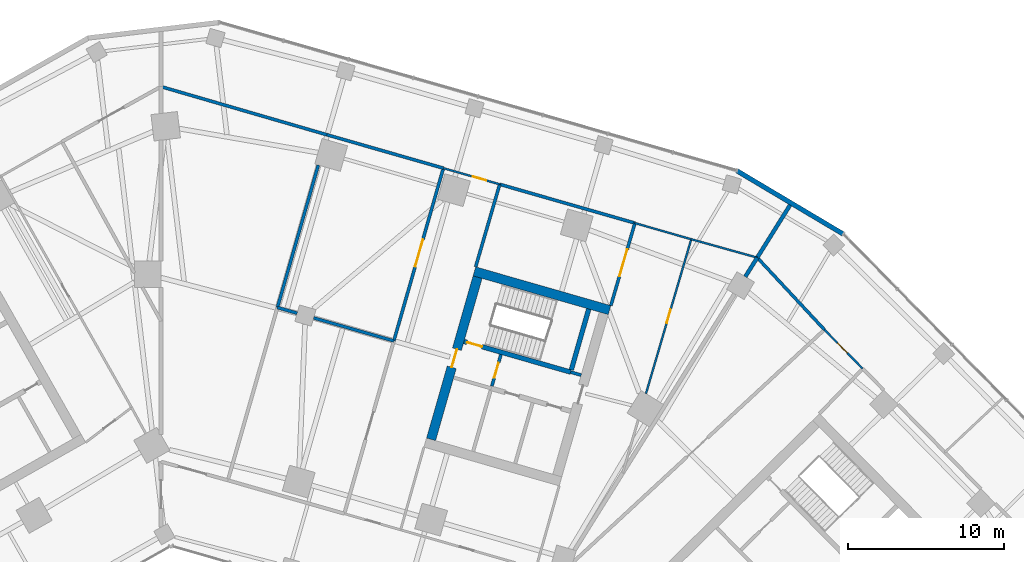
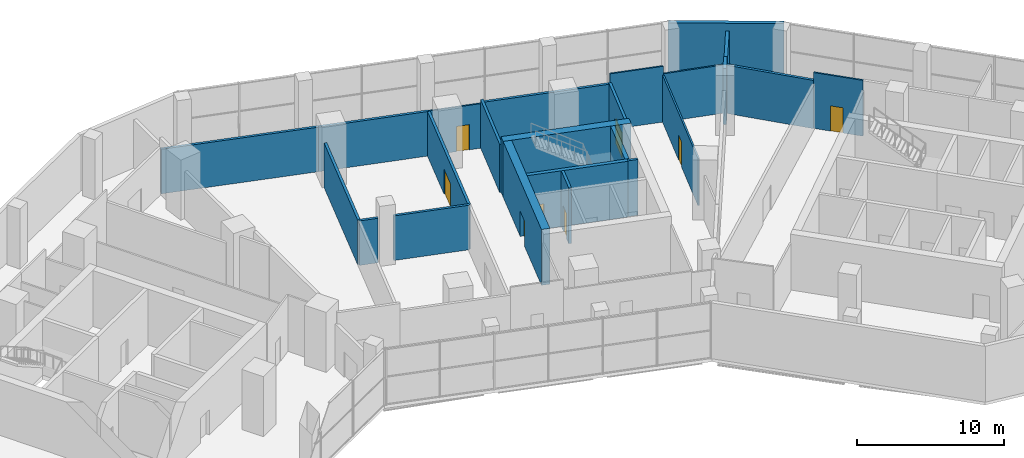
# One storey, part 15 of 18: 24 walls, 8 doors, 8 openings.
"""IFC4 building model written with IfcOpenShell, lengths in metres."""

from ifc_helpers import new_model, si_unit, direction, frame, frame_2d, origin, place, context, subcontext, project, spatial, rectangle, extrude, material, layer, layer_set, type_object, element, fill, save


model = new_model("IFC4")

# Units and contexts
model_context = context("Model", 3, precision=1e-05, world=origin(), true_north=direction((0.0, 1.0)))
body_context = subcontext(model_context, "Body", "Model", "MODEL_VIEW")
ifc_project = project(units=[si_unit("LENGTHUNIT", "METRE"), si_unit("AREAUNIT", "SQUARE_METRE"), si_unit("VOLUMEUNIT", "CUBIC_METRE"), si_unit("PLANEANGLEUNIT", "RADIAN"), si_unit("MASSUNIT", "GRAM", prefix="KILO")], contexts=[model_context])

# Site, building, storey
site_placement = place(None, origin())
site = spatial("IfcSite", under=ifc_project, at=site_placement, CompositionType="ELEMENT")
building_placement = place(site_placement, origin())
building = spatial("IfcBuilding", under=site, at=building_placement, Name="Binnacle Exchange Tower", CompositionType="ELEMENT")
storey_placement = place(building_placement, frame((0.0, 0.0, 11.5)))
storey = spatial("IfcBuildingStorey", under=building, at=storey_placement, Name="L02", CompositionType="ELEMENT", Elevation=11.5)

# Wall
ifc_material_1 = material(Name="Concrete C70/85", Category="concrete")
ifc_layer_1 = layer(ifc_material_1, 0.60009765625)
ifc_layer_set_1 = layer_set([ifc_layer_1], Name="Core wall - outer 600")
wall_type_1 = type_object("IfcWallType", Name="Core wall - outer 600", PredefinedType="SOLIDWALL", material=ifc_layer_set_1)
wall_1_placement = place(storey_placement, frame((20.052734375, 60.1796875, 0.0), z_axis=(0.0, 0.0, 1.0), x_axis=(0.96126248289, -0.275634611374, 0.0)))
element("IfcWall", 1, at=wall_1_placement, inside=storey, type_object=wall_type_1, Name="Core wall CRWD6", PredefinedType="SOLIDWALL", context=body_context, shape_type="SweptSolid", body=[
    extrude(rectangle(XDim=9.0, YDim=0.60009765625, at=frame_2d((4.5, 0.0))), origin(), (0.0, 0.0, 1.0), 4.64990234375),
])

# Wall, opening, door
wall_2_placement = place(storey_placement, frame((17.28173828125, 49.427001953125, 0.0), z_axis=(0.0, 0.0, 1.0), x_axis=(0.275631631629, 0.961263337304, 0.0)))
wall_2 = element("IfcWall", 2, at=wall_2_placement, inside=storey, type_object=wall_type_1, Name="Core wall CRWD7", PredefinedType="SOLIDWALL", context=body_context, shape_type="SweptSolid", body=[
    extrude(rectangle(XDim=10.800048828125, YDim=0.60009765625, at=frame_2d((5.39990234375, 0.0))), origin(), (0.0, 0.0, 1.0), 4.64990234375),
])
opening_1_placement = place(wall_2_placement, frame((4.800048828125, 0.0, 0.0)))
opening_1 = element("IfcOpeningElement", 3, at=opening_1_placement, cuts=wall_2, Name="Opening DD5", PredefinedType="OPENING", context=body_context, shape_type="SweptSolid", body=[
    extrude(rectangle(XDim=1.199951171875, YDim=2.10009765625, at=frame_2d((0.60009765625, 1.050048828125))), frame((0.0, 0.31005859375, 0.0), z_axis=(0.0, -1.0, 0.0), x_axis=(1.0, 0.0, 0.0)), (0.0, 0.0, 1.0), 0.6201171875),
])
ifc_material_2 = material(Name="Steel door leaf", Category="steel")
door_type_1 = type_object("IfcDoorType", Name="Fire door 1200", OperationType="NOTDEFINED", PredefinedType="DOOR", material=ifc_material_2)
door_1_placement = place(opening_1_placement, origin())
door_1 = element("IfcDoor", 4, at=door_1_placement, inside=storey, type_object=door_type_1, Name="Vestibule exit door VEST-W", OperationType="SINGLE_SWING_RIGHT", OverallHeight=2.10009765625, OverallWidth=1.199951171875, PredefinedType="DOOR", context=body_context, shape_type="SweptSolid", body=[
    extrude(rectangle(XDim=1.199951171875, YDim=2.10009765625, at=frame_2d((0.60009765625, 1.050048828125))), frame((0.0, 0.02490234375, 0.0), z_axis=(0.0, -1.0, 0.0), x_axis=(1.0, 0.0, 0.0)), (0.0, 0.0, 1.0), 0.050048828125),
])
fill(opening_1, door_1)

ifc_layer_2 = layer(ifc_material_1, 0.300048828125)
ifc_layer_set_2 = layer_set([ifc_layer_2], Name="Core wall - stair 300")
wall_type_2 = type_object("IfcWallType", Name="Core wall - stair 300", PredefinedType="SOLIDWALL", material=ifc_layer_set_2)
wall_3_placement = place(storey_placement, frame((19.38916015625, 55.688720703125, 0.0), z_axis=(0.0, 0.0, 1.0), x_axis=(0.961261397636, -0.275638396117, 0.0)))
wall_3 = element("IfcWall", 5, at=wall_3_placement, inside=storey, type_object=wall_type_2, Name="Core wall CRWD4", PredefinedType="SOLIDWALL", context=body_context, shape_type="SweptSolid", body=[
    extrude(rectangle(XDim=7.10009765625, YDim=0.300048828125, at=frame_2d((3.550048828125, 0.0))), origin(), (0.0, 0.0, 1.0), 4.64990234375),
])
opening_2_placement = place(wall_3_placement, frame((0.199951171875, 0.0, 0.0)))
opening_2 = element("IfcOpeningElement", 6, at=opening_2_placement, cuts=wall_3, Name="Opening DD1", PredefinedType="OPENING", context=body_context, shape_type="SweptSolid", body=[
    extrude(rectangle(XDim=1.0, YDim=2.10009765625, at=frame_2d((0.5, 1.050048828125))), frame((0.0, 0.159912109375, 0.0), z_axis=(0.0, -1.0, 0.0), x_axis=(1.0, 0.0, 0.0)), (0.0, 0.0, 1.0), 0.320068359375),
])
door_type_2 = type_object("IfcDoorType", Name="Fire door 1000", OperationType="NOTDEFINED", PredefinedType="DOOR", material=ifc_material_2)
door_2_placement = place(opening_2_placement, origin())
door_2 = element("IfcDoor", 7, at=door_2_placement, inside=storey, type_object=door_type_2, Name="Stair door ST-D1", OperationType="SINGLE_SWING_LEFT", OverallHeight=2.10009765625, OverallWidth=1.0, PredefinedType="DOOR", context=body_context, shape_type="SweptSolid", body=[
    extrude(rectangle(XDim=1.0, YDim=2.10009765625, at=frame_2d((0.5, 1.050048828125))), frame((0.0, 0.02490234375, 0.0), z_axis=(0.0, -1.0, 0.0), x_axis=(1.0, 0.0, 0.0)), (0.0, 0.0, 1.0), 0.050048828125),
])
fill(opening_2, door_2)

# Walls
wall_4_placement = place(storey_placement, frame((26.255615234375, 53.875732421875, 0.0), z_axis=(0.0, 0.0, 1.0), x_axis=(0.275612739511, 0.961268754209, 0.0)))
element("IfcWall", 8, at=wall_4_placement, inside=storey, type_object=wall_type_2, Name="Core wall CRWD11", PredefinedType="SOLIDWALL", context=body_context, shape_type="SweptSolid", body=[
    extrude(rectangle(XDim=4.0498046875, YDim=0.300048828125, at=frame_2d((2.02490234375, 0.0))), origin(), (0.0, 0.0, 1.0), 4.64990234375),
])
ifc_material_3 = material(Name="Bronze aluminium louvre", Category="aluminium")
ifc_layer_3 = layer(ifc_material_3, 0.300048828125)
ifc_layer_set_3 = layer_set([ifc_layer_3], Name="External wall - podium louvre 300")
wall_type_3 = type_object("IfcWallType", Name="External wall - podium louvre 300", PredefinedType="STANDARD", material=ifc_layer_set_3)
wall_5_placement = place(storey_placement, frame((36.85791015625, 66.61181640625, 0.0), z_axis=(0.0, 0.0, 1.0), x_axis=(0.85940790562, -0.51129057468, 0.0)))
element("IfcWall", 9, at=wall_5_placement, inside=storey, type_object=wall_type_3, Name="External wall EW-P13 L02", PredefinedType="STANDARD", context=body_context, shape_type="SweptSolid", body=[
    extrude(rectangle(XDim=7.906005859375, YDim=0.300048828125, at=frame_2d((3.953125, 0.0))), origin(), (0.0, 0.0, 1.0), 4.64990234375),
])
ifc_material_4 = material(Name="Masonry block wall", Category="masonry")
ifc_layer_4 = layer(ifc_material_4, 0.199951171875)
ifc_layer_set_4 = layer_set([ifc_layer_4], Name="Fire wall - block 200")
wall_type_4 = type_object("IfcWallType", Name="Fire wall - block 200", PredefinedType="PARTITIONING", material=ifc_layer_set_4)
wall_6_placement = place(storey_placement, frame((0.0, 72.0, 0.0), z_axis=(0.0, 0.0, 1.0), x_axis=(0.960375968852, -0.278707729443, 0.0)))
element("IfcWall", 10, at=wall_6_placement, inside=storey, type_object=wall_type_4, Name="Partition W51", PredefinedType="PARTITIONING", context=body_context, shape_type="SweptSolid", body=[
    extrude(rectangle(XDim=11.058349609375, YDim=0.199951171875, at=frame_2d((5.529296875, 0.0))), origin(), (0.0, 0.0, 1.0), 3.7119140625),
])
wall_7_placement = place(storey_placement, frame((7.449951171875, 57.864013671875, 0.0), z_axis=(0.0, 0.0, 1.0), x_axis=(0.961221622993, -0.275777068465, 0.0)))
element("IfcWall", 11, at=wall_7_placement, inside=storey, type_object=wall_type_4, Name="Partition W54", PredefinedType="PARTITIONING", context=body_context, shape_type="SweptSolid", body=[
    extrude(rectangle(XDim=1.31298828125, YDim=0.199951171875, at=frame_2d((0.656494140625, 0.0))), origin(), (0.0, 0.0, 1.0), 3.7119140625),
])
wall_8_placement = place(storey_placement, frame((7.449951171875, 57.864013671875, 0.0), z_axis=(0.0, 0.0, 1.0), x_axis=(0.275710305557, 0.961240774941, 0.0)))
element("IfcWall", 12, at=wall_8_placement, inside=storey, type_object=wall_type_4, Name="Partition W55", PredefinedType="PARTITIONING", context=body_context, shape_type="SweptSolid", body=[
    extrude(rectangle(XDim=9.484619140625, YDim=0.199951171875, at=frame_2d((4.7421875, 0.0))), origin(), (0.0, 0.0, 1.0), 3.7119140625),
])
wall_9_placement = place(storey_placement, frame((9.77001953125, 57.198974609375, 0.0), z_axis=(0.0, 0.0, 1.0), x_axis=(0.961262835898, -0.275633380273, 0.0)))
element("IfcWall", 13, at=wall_9_placement, inside=storey, type_object=wall_type_4, Name="Partition W56", PredefinedType="PARTITIONING", context=body_context, shape_type="SweptSolid", body=[
    extrude(rectangle(XDim=5.336669921875, YDim=0.199951171875, at=frame_2d((2.66845703125, 0.0))), origin(), (0.0, 0.0, 1.0), 3.7119140625),
])
wall_10_placement = place(storey_placement, frame((10.6201171875, 68.91796875, 0.0), z_axis=(0.0, 0.0, 1.0), x_axis=(0.961260764876, -0.275640602796, 0.0)))
element("IfcWall", 14, at=wall_10_placement, inside=storey, type_object=wall_type_4, Name="Partition W57", PredefinedType="PARTITIONING", context=body_context, shape_type="SweptSolid", body=[
    extrude(rectangle(XDim=7.749267578125, YDim=0.199951171875, at=frame_2d((3.87451171875, 0.0))), origin(), (0.0, 0.0, 1.0), 3.7119140625),
])

# Wall, opening, door
wall_11_placement = place(storey_placement, frame((14.89990234375, 55.72802734375, 0.0), z_axis=(0.0, 0.0, 1.0), x_axis=(0.27559869205, 0.961272781754, 0.0)))
wall_11 = element("IfcWall", 15, at=wall_11_placement, inside=storey, type_object=wall_type_4, Name="Partition W60", PredefinedType="PARTITIONING", context=body_context, shape_type="SweptSolid", body=[
    extrude(rectangle(XDim=11.499267578125, YDim=0.199951171875, at=frame_2d((5.74951171875, 0.0))), origin(), (0.0, 0.0, 1.0), 3.7119140625),
])
opening_3_placement = place(wall_11_placement, frame((4.949951171875, 0.0, 0.0)))
opening_3 = element("IfcOpeningElement", 16, at=opening_3_placement, cuts=wall_11, Name="Opening DL01-20", PredefinedType="OPENING", context=body_context, shape_type="SweptSolid", body=[
    extrude(rectangle(XDim=1.800048828125, YDim=2.10009765625, at=frame_2d((0.89990234375, 1.050048828125))), frame((0.0, 0.10986328125, 0.0), z_axis=(0.0, -1.0, 0.0), x_axis=(1.0, 0.0, 0.0)), (0.0, 0.0, 1.0), 0.219970703125),
])
door_type_3 = type_object("IfcDoorType", Name="Fire door 1800", OperationType="NOTDEFINED", PredefinedType="DOOR", material=ifc_material_2)
door_3_placement = place(opening_3_placement, origin())
door_3 = element("IfcDoor", 17, at=door_3_placement, inside=storey, type_object=door_type_3, Name="Door DL01-20", OperationType="DOUBLE_DOOR_SINGLE_SWING", OverallHeight=2.10009765625, OverallWidth=1.800048828125, PredefinedType="DOOR", context=body_context, shape_type="SweptSolid", body=[
    extrude(rectangle(XDim=1.800048828125, YDim=2.10009765625, at=frame_2d((0.89990234375, 1.050048828125))), frame((0.0, 0.02490234375, 0.0), z_axis=(0.0, -1.0, 0.0), x_axis=(1.0, 0.0, 0.0)), (0.0, 0.0, 1.0), 0.050048828125),
])
fill(opening_3, door_3)

# Walls
wall_12_placement = place(storey_placement, frame((20.135986328125, 60.468017578125, 0.0), z_axis=(0.0, 0.0, 1.0), x_axis=(0.279630121779, 0.96010780384, 0.0)))
element("IfcWall", 18, at=wall_12_placement, inside=storey, type_object=wall_type_4, Name="Partition W64", PredefinedType="PARTITIONING", context=body_context, shape_type="SweptSolid", body=[
    extrude(rectangle(XDim=5.50048828125, YDim=0.199951171875, at=frame_2d((2.750244140625, 0.0))), origin(), (0.0, 0.0, 1.0), 4.01806640625),
])
wall_13_placement = place(storey_placement, frame((21.674072265625, 65.7490234375, 0.0), z_axis=(0.0, 0.0, 1.0), x_axis=(0.961259417468, -0.275645301662, 0.0)))
element("IfcWall", 19, at=wall_13_placement, inside=storey, type_object=wall_type_4, Name="Partition W65", PredefinedType="PARTITIONING", context=body_context, shape_type="SweptSolid", body=[
    extrude(rectangle(XDim=9.00048828125, YDim=0.199951171875, at=frame_2d((4.500244140625, 0.0))), origin(), (0.0, 0.0, 1.0), 3.822021484375),
])

# Wall, opening, door
wall_14_placement = place(storey_placement, frame((28.787109375, 57.987060546875, 0.0), z_axis=(0.0, 0.0, 1.0), x_axis=(0.279752860161, 0.960072047938, 0.0)))
wall_14 = element("IfcWall", 20, at=wall_14_placement, inside=storey, type_object=wall_type_4, Name="Partition W74", PredefinedType="PARTITIONING", context=body_context, shape_type="SweptSolid", body=[
    extrude(rectangle(XDim=5.500732421875, YDim=0.199951171875, at=frame_2d((2.75048828125, 0.0))), origin(), (0.0, 0.0, 1.0), 3.922119140625),
])
opening_4_placement = place(wall_14_placement, frame((1.949951171875, 0.0, 0.0)))
opening_4 = element("IfcOpeningElement", 21, at=opening_4_placement, cuts=wall_14, Name="Opening DL01-23", PredefinedType="OPENING", context=body_context, shape_type="SweptSolid", body=[
    extrude(rectangle(XDim=1.800048828125, YDim=2.10009765625, at=frame_2d((0.89990234375, 1.050048828125))), frame((0.0, 0.10986328125, 0.0), z_axis=(0.0, -1.0, 0.0), x_axis=(1.0, 0.0, 0.0)), (0.0, 0.0, 1.0), 0.219970703125),
])
door_4_placement = place(opening_4_placement, origin())
door_4 = element("IfcDoor", 22, at=door_4_placement, inside=storey, type_object=door_type_3, Name="Door DL01-23", OperationType="DOUBLE_DOOR_SINGLE_SWING", OverallHeight=2.10009765625, OverallWidth=1.800048828125, PredefinedType="DOOR", context=body_context, shape_type="SweptSolid", body=[
    extrude(rectangle(XDim=1.800048828125, YDim=2.10009765625, at=frame_2d((0.89990234375, 1.050048828125))), frame((0.0, 0.02490234375, 0.0), z_axis=(0.0, -1.0, 0.0), x_axis=(1.0, 0.0, 0.0)), (0.0, 0.0, 1.0), 0.050048828125),
])
fill(opening_4, door_4)

# Walls
wall_15_placement = place(storey_placement, frame((38.154052734375, 61.05908203125, 0.0), z_axis=(0.0, 0.0, 1.0), x_axis=(0.681663875787, -0.731665470312, 0.0)))
element("IfcWall", 23, at=wall_15_placement, inside=storey, type_object=wall_type_4, Name="Partition W83", PredefinedType="PARTITIONING", context=body_context, shape_type="SweptSolid", body=[
    extrude(rectangle(XDim=6.303466796875, YDim=0.199951171875, at=frame_2d((3.15185546875, 0.0))), origin(), (0.0, 0.0, 1.0), 4.01806640625),
])
ifc_material_5 = material(Name="Concrete fire wall C30/37", Category="concrete")
ifc_layer_5 = layer(ifc_material_5, 0.25)
ifc_layer_set_5 = layer_set([ifc_layer_5], Name="Fire wall - compartment 250")
wall_type_5 = type_object("IfcWallType", Name="Fire wall - compartment 250", PredefinedType="PARTITIONING", material=ifc_layer_set_5)
wall_16_placement = place(storey_placement, frame((37.389892578125, 59.8369140625, 0.0), z_axis=(0.0, 0.0, 1.0), x_axis=(0.530151180786, 0.84790313451, 0.0)))
element("IfcWall", 24, at=wall_16_placement, inside=storey, type_object=wall_type_5, Name="Fire Wall W80", PredefinedType="PARTITIONING", context=body_context, shape_type="SweptSolid", body=[
    extrude(rectangle(XDim=1.44140625, YDim=0.25, at=frame_2d((0.720703125, 0.0))), origin(), (0.0, 0.0, 1.0), 4.64990234375),
])
wall_17_placement = place(storey_placement, frame((38.154052734375, 61.05908203125, 0.0), z_axis=(0.0, 0.0, 1.0), x_axis=(0.529921368013, 0.848046781565, 0.0)))
element("IfcWall", 25, at=wall_17_placement, inside=storey, type_object=wall_type_5, Name="Fire Wall W82", PredefinedType="PARTITIONING", context=body_context, shape_type="SweptSolid", body=[
    extrude(rectangle(XDim=3.960693359375, YDim=0.25, at=frame_2d((1.98046875, 0.0))), origin(), (0.0, 0.0, 1.0), 4.02392578125),
])

# Wall, opening, door
ifc_layer_6 = layer(ifc_material_4, 0.199951171875)
ifc_layer_set_6 = layer_set([ifc_layer_6], Name="Fire wall - vestibule 200")
wall_type_6 = type_object("IfcWallType", Name="Fire wall - vestibule 200", PredefinedType="PARTITIONING", material=ifc_layer_set_6)
wall_18_placement = place(storey_placement, frame((21.172119140625, 52.836669921875, 0.0), z_axis=(0.0, 0.0, 1.0), x_axis=(0.275657676022, 0.961255868981, 0.0)))
wall_18 = element("IfcWall", 26, at=wall_18_placement, inside=storey, type_object=wall_type_6, Name="Core wall CRWD9", PredefinedType="PARTITIONING", context=body_context, shape_type="SweptSolid", body=[
    extrude(rectangle(XDim=2.099853515625, YDim=0.199951171875, at=frame_2d((1.0498046875, 0.0))), origin(), (0.0, 0.0, 1.0), 4.64990234375),
])
opening_5_placement = place(wall_18_placement, frame((0.550048828125, 0.0, 0.0)))
opening_5 = element("IfcOpeningElement", 27, at=opening_5_placement, cuts=wall_18, Name="Opening DD3", PredefinedType="OPENING", context=body_context, shape_type="SweptSolid", body=[
    extrude(rectangle(XDim=1.0, YDim=2.10009765625, at=frame_2d((0.5, 1.050048828125))), frame((0.0, 0.10986328125, 0.0), z_axis=(0.0, -1.0, 0.0), x_axis=(1.0, 0.0, 0.0)), (0.0, 0.0, 1.0), 0.219970703125),
])
door_5_placement = place(opening_5_placement, origin())
door_5 = element("IfcDoor", 28, at=door_5_placement, inside=storey, type_object=door_type_2, Name="Vestibule door VEST-W", OperationType="SINGLE_SWING_RIGHT", OverallHeight=2.10009765625, OverallWidth=1.0, PredefinedType="DOOR", context=body_context, shape_type="SweptSolid", body=[
    extrude(rectangle(XDim=1.0, YDim=2.10009765625, at=frame_2d((0.5, 1.050048828125))), frame((0.0, 0.02490234375, 0.0), z_axis=(0.0, -1.0, 0.0), x_axis=(1.0, 0.0, 0.0)), (0.0, 0.0, 1.0), 0.050048828125),
])
fill(opening_5, door_5)

ifc_material_6 = material(Name="Gypsum partition")
ifc_layer_7 = layer(ifc_material_6, 0.125)
ifc_layer_set_7 = layer_set([ifc_layer_7], Name="Partition 125")
wall_type_7 = type_object("IfcWallType", Name="Partition 125", PredefinedType="PARTITIONING", material=ifc_layer_set_7)
wall_19_placement = place(storey_placement, frame((18.069091796875, 66.781982421875, 0.0), z_axis=(0.0, 0.0, 1.0), x_axis=(0.961314848061, -0.275451924837, 0.0)))
wall_19 = element("IfcWall", 29, at=wall_19_placement, inside=storey, type_object=wall_type_7, Name="Partition W63", PredefinedType="PARTITIONING", context=body_context, shape_type="SweptSolid", body=[
    extrude(rectangle(XDim=3.75, YDim=0.125, at=frame_2d((1.875, 0.0))), origin(), (0.0, 0.0, 1.0), 3.7119140625),
])
opening_6_placement = place(wall_19_placement, frame((1.949951171875, 0.0, 0.0)))
opening_6 = element("IfcOpeningElement", 30, at=opening_6_placement, cuts=wall_19, Name="Opening DL01-18", PredefinedType="OPENING", context=body_context, shape_type="SweptSolid", body=[
    extrude(rectangle(XDim=0.89990234375, YDim=2.10009765625, at=frame_2d((0.449951171875, 1.050048828125))), frame((0.0, 0.072509765625, 0.0), z_axis=(0.0, -1.0, 0.0), x_axis=(1.0, 0.0, 0.0)), (0.0, 0.0, 1.0), 0.14501953125),
])
ifc_material_7 = material(Name="Timber door leaf", Category="wood")
door_type_4 = type_object("IfcDoorType", Name="Door 900", OperationType="NOTDEFINED", PredefinedType="DOOR", material=ifc_material_7)
door_6_placement = place(opening_6_placement, origin())
door_6 = element("IfcDoor", 31, at=door_6_placement, inside=storey, type_object=door_type_4, Name="Door DL01-18", OperationType="SINGLE_SWING_RIGHT", OverallHeight=2.10009765625, OverallWidth=0.89990234375, PredefinedType="DOOR", context=body_context, shape_type="SweptSolid", body=[
    extrude(rectangle(XDim=0.89990234375, YDim=2.10009765625, at=frame_2d((0.449951171875, 1.050048828125))), frame((0.0, 0.02490234375, 0.0), z_axis=(0.0, -1.0, 0.0), x_axis=(1.0, 0.0, 0.0)), (0.0, 0.0, 1.0), 0.050048828125),
])
fill(opening_6, door_6)

# Wall
wall_20_placement = place(storey_placement, frame((30.325927734375, 63.26806640625, 0.0), z_axis=(0.0, 0.0, 1.0), x_axis=(0.96120880595, -0.275821738383, 0.0)))
element("IfcWall", 32, at=wall_20_placement, inside=storey, type_object=wall_type_7, Name="Partition W77", PredefinedType="PARTITIONING", context=body_context, shape_type="SweptSolid", body=[
    extrude(rectangle(XDim=3.74951171875, YDim=0.125, at=frame_2d((1.874755859375, 0.0))), origin(), (0.0, 0.0, 1.0), 4.64990234375),
])

# Wall, opening, door
wall_21_placement = place(storey_placement, frame((31.033935546875, 52.361083984375, 0.0), z_axis=(0.0, 0.0, 1.0), x_axis=(0.281471237406, 0.959569665273, 0.0)))
wall_21 = element("IfcWall", 33, at=wall_21_placement, inside=storey, type_object=wall_type_7, Name="Partition W78", PredefinedType="PARTITIONING", context=body_context, shape_type="SweptSolid", body=[
    extrude(rectangle(XDim=10.288818359375, YDim=0.125, at=frame_2d((5.14453125, 0.0))), origin(), (0.0, 0.0, 1.0), 3.922119140625),
])
opening_7_placement = place(wall_21_placement, frame((4.699951171875, 0.0, 0.0)))
opening_7 = element("IfcOpeningElement", 34, at=opening_7_placement, cuts=wall_21, Name="Opening DL01-22", PredefinedType="OPENING", context=body_context, shape_type="SweptSolid", body=[
    extrude(rectangle(XDim=0.89990234375, YDim=2.10009765625, at=frame_2d((0.449951171875, 1.050048828125))), frame((0.0, 0.072509765625, 0.0), z_axis=(0.0, -1.0, 0.0), x_axis=(1.0, 0.0, 0.0)), (0.0, 0.0, 1.0), 0.14501953125),
])
door_7_placement = place(opening_7_placement, frame((0.89990234375, 0.0, 0.0), z_axis=(0.0, 0.0, 1.0), x_axis=(-1.0, 0.0, 0.0)))
door_7 = element("IfcDoor", 35, at=door_7_placement, inside=storey, type_object=door_type_4, Name="Door DL01-22", OperationType="SINGLE_SWING_LEFT", OverallHeight=2.10009765625, OverallWidth=0.89990234375, PredefinedType="DOOR", context=body_context, shape_type="SweptSolid", body=[
    extrude(rectangle(XDim=0.89990234375, YDim=2.10009765625, at=frame_2d((0.449951171875, 1.050048828125))), frame((0.0, 0.02490234375, 0.0), z_axis=(0.0, -1.0, 0.0), x_axis=(1.0, 0.0, 0.0)), (0.0, 0.0, 1.0), 0.050048828125),
])
fill(opening_7, door_7)

# Wall
wall_22_placement = place(storey_placement, frame((33.929931640625, 62.23388671875, 0.0), z_axis=(0.0, 0.0, 1.0), x_axis=(0.963433299433, -0.267948274007, 0.0)))
element("IfcWall", 36, at=wall_22_placement, inside=storey, type_object=wall_type_7, Name="Partition W79", PredefinedType="PARTITIONING", context=body_context, shape_type="SweptSolid", body=[
    extrude(rectangle(XDim=4.384521484375, YDim=0.125, at=frame_2d((2.1923828125, 0.0))), origin(), (0.0, 0.0, 1.0), 4.01806640625),
])

# Wall, opening, door
wall_23_placement = place(storey_placement, frame((42.450927734375, 56.447021484375, 0.0), z_axis=(0.0, 0.0, 1.0), x_axis=(0.700941316052, -0.713218950569, 0.0)))
wall_23 = element("IfcWall", 37, at=wall_23_placement, inside=storey, type_object=wall_type_7, Name="Partition W85", PredefinedType="PARTITIONING", context=body_context, shape_type="SweptSolid", body=[
    extrude(rectangle(XDim=3.499755859375, YDim=0.125, at=frame_2d((1.75, 0.0))), origin(), (0.0, 0.0, 1.0), 4.64990234375),
])
opening_8_placement = place(wall_23_placement, frame((1.199951171875, 0.0, 0.0)))
opening_8 = element("IfcOpeningElement", 38, at=opening_8_placement, cuts=wall_23, Name="Opening DL01-27", PredefinedType="OPENING", context=body_context, shape_type="SweptSolid", body=[
    extrude(rectangle(XDim=0.89990234375, YDim=2.10009765625, at=frame_2d((0.449951171875, 1.050048828125))), frame((0.0, 0.072509765625, 0.0), z_axis=(0.0, -1.0, 0.0), x_axis=(1.0, 0.0, 0.0)), (0.0, 0.0, 1.0), 0.14501953125),
])
door_8_placement = place(opening_8_placement, origin())
door_8 = element("IfcDoor", 39, at=door_8_placement, inside=storey, type_object=door_type_4, Name="Door DL01-27", OperationType="SINGLE_SWING_LEFT", OverallHeight=2.10009765625, OverallWidth=0.89990234375, PredefinedType="DOOR", context=body_context, shape_type="SweptSolid", body=[
    extrude(rectangle(XDim=0.89990234375, YDim=2.10009765625, at=frame_2d((0.449951171875, 1.050048828125))), frame((0.0, 0.02490234375, 0.0), z_axis=(0.0, -1.0, 0.0), x_axis=(1.0, 0.0, 0.0)), (0.0, 0.0, 1.0), 0.050048828125),
])
fill(opening_8, door_8)

# Wall
ifc_layer_8 = layer(ifc_material_4, 0.199951171875)
ifc_layer_set_8 = layer_set([ifc_layer_8], Name="Riser wall 200")
wall_type_8 = type_object("IfcWallType", Name="Riser wall 200", PredefinedType="SOLIDWALL", material=ifc_layer_set_8)
wall_24_placement = place(storey_placement, frame((26.214111328125, 53.731689453125, 0.0), z_axis=(0.0, 0.0, 1.0), x_axis=(0.96122076476, -0.27578005982, 0.0)))
element("IfcWall", 40, at=wall_24_placement, inside=storey, type_object=wall_type_8, Name="Core wall CRWD5", PredefinedType="SOLIDWALL", context=body_context, shape_type="SweptSolid", body=[
    extrude(rectangle(XDim=0.7001953125, YDim=0.199951171875, at=frame_2d((0.35009765625, 0.0))), origin(), (0.0, 0.0, 1.0), 4.64990234375),
])

save(model, "model.ifc")
